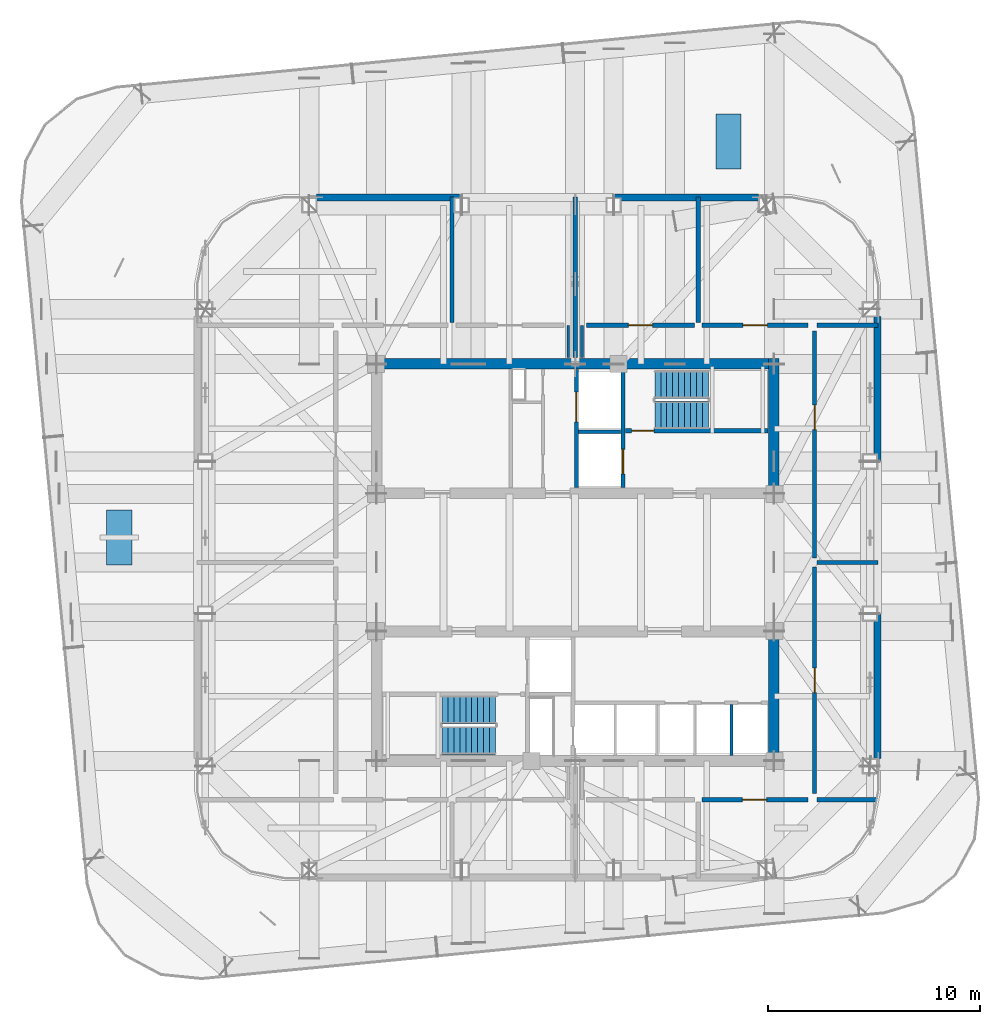
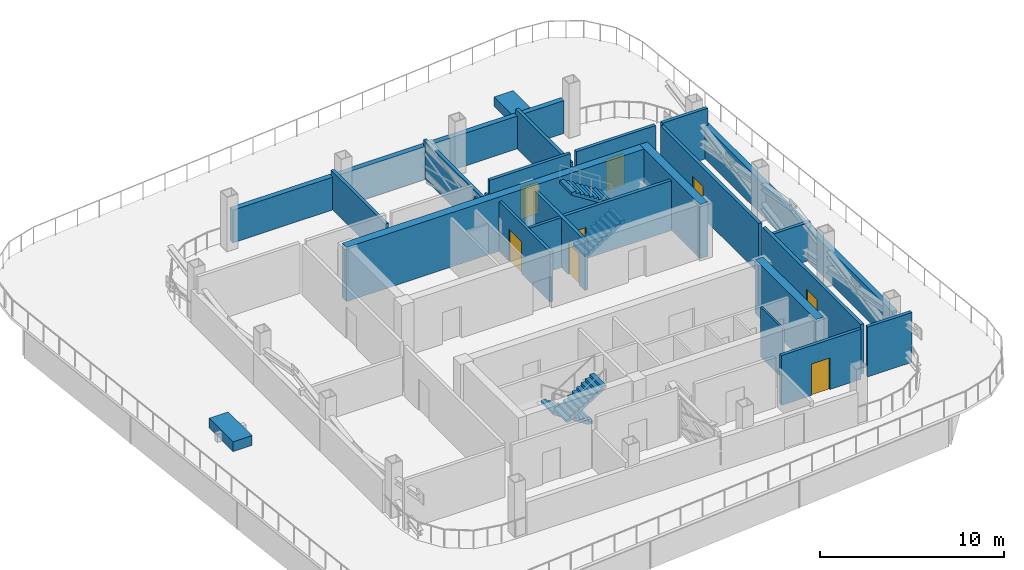
# One storey, part 7 of 12: 23 walls, 8 doors, 4 stair flights, 2 discrete accessories, 8 openings, 2 elements without a shape of their own.
"""IFC4 building model written with IfcOpenShell, lengths in metres."""

from ifc_helpers import new_model, si_unit, direction, frame, frame_2d, origin, origin_2d, place, context, subcontext, project, spatial, polyline, rectangle, outline, extrude, material, layer, layer_set, type_object, element, fill, aggregate, save


model = new_model("IFC4")

# Units and contexts
model_context = context("Model", 3, precision=1e-05, world=origin(), true_north=direction((0.0, 1.0)))
body_context = subcontext(model_context, "Body", "Model", "MODEL_VIEW")
ifc_project = project(units=[si_unit("LENGTHUNIT", "METRE"), si_unit("AREAUNIT", "SQUARE_METRE"), si_unit("VOLUMEUNIT", "CUBIC_METRE"), si_unit("PLANEANGLEUNIT", "RADIAN"), si_unit("MASSUNIT", "GRAM", prefix="KILO")], contexts=[model_context])

# Site, building, storey
site_placement = place(None, origin())
site = spatial("IfcSite", under=ifc_project, at=site_placement, CompositionType="ELEMENT")
building_placement = place(site_placement, origin())
building = spatial("IfcBuilding", under=site, at=building_placement, Name="Qhalaya Broadcast Tower", CompositionType="ELEMENT")
storey_placement = place(building_placement, frame((0.0, 0.0, 187.949951171875)))
storey = spatial("IfcBuildingStorey", under=building, at=storey_placement, Name="L55", CompositionType="ELEMENT", Elevation=187.949951171875)

# Walls
ifc_material_1 = material(Name="Gypsum Acoustic Partition")
ifc_layer_1 = layer(ifc_material_1, 0.199951171875, Name="Gypsum Acoustic Partition")
ifc_layer_set_1 = layer_set([ifc_layer_1], Name="Gypsum Acoustic Partition")
wall_type_1 = type_object("IfcWallType", Name="Firefighting Lobby & Stair Enclosure Wall 200", PredefinedType="PARTITIONING", material=ifc_layer_set_1)
wall_1_placement = place(storey_placement, frame((0.0, 10.239990234375, 0.0), z_axis=(0.0, 0.0, 1.0), x_axis=(0.0, 1.0, 0.0)))
element("IfcWall", 1, at=wall_1_placement, inside=storey, type_object=wall_type_1, Name="L55 Partition Wall W-OBN", PredefinedType="PARTITIONING", context=body_context, shape_type="SweptSolid", body=[
    extrude(rectangle(XDim=7.56005859375, YDim=0.199951171875, at=frame_2d((3.780029296875, 0.0))), origin(), (0.0, 0.0, 1.0), 2.5380859375),
])
wall_2_placement = place(storey_placement, frame((-5.800048828125, 11.889892578125, 0.0), z_axis=(0.0, 0.0, 1.0), x_axis=(0.0, 1.0, 0.0)))
element("IfcWall", 2, at=wall_2_placement, inside=storey, type_object=wall_type_1, Name="L55 Partition Wall W-PDN1", PredefinedType="PARTITIONING", context=body_context, shape_type="SweptSolid", body=[
    extrude(rectangle(XDim=5.91015625, YDim=0.199951171875, at=frame_2d((2.955078125, 0.0))), origin(), (0.0, 0.0, 1.0), 2.5380859375),
])

# Wall, opening, door
wall_3_placement = place(storey_placement, frame((5.6201171875, 11.77001953125, 0.0), z_axis=(0.0, 0.0, 1.0), x_axis=(-1.0, 0.0, 0.0)))
wall_3 = element("IfcWall", 3, at=wall_3_placement, inside=storey, type_object=wall_type_1, Name="L55 Partition Wall W-PCN2", PredefinedType="PARTITIONING", context=body_context, shape_type="SweptSolid", body=[
    extrude(rectangle(XDim=5.090087890625, YDim=0.199951171875, at=frame_2d((2.544921875, 0.0))), origin(), (0.0, 0.0, 1.0), 3.320068359375),
])
opening_1_placement = place(wall_3_placement, frame((1.969970703125, 0.0, 0.0)))
opening_1 = element("IfcOpeningElement", 4, at=opening_1_placement, cuts=wall_3, Name="Opening D05", PredefinedType="OPENING", context=body_context, shape_type="SweptSolid", body=[
    extrude(rectangle(XDim=1.14990234375, YDim=2.10009765625, at=frame_2d((0.574951171875, 1.050048828125))), frame((0.0, 0.112060546875, 0.0), z_axis=(0.0, -1.0, 0.0), x_axis=(1.0, 0.0, 0.0)), (0.0, 0.0, 1.0), 0.223876953125),
])
ifc_material_2 = material(Name="Fire-Rated Steel Door", Category="steel")
door_type_1 = type_object("IfcDoorType", Name="Refuge & Plant Room Fire Door D05", OperationType="NOTDEFINED", PredefinedType="DOOR", material=ifc_material_2)
door_1_placement = place(opening_1_placement, origin())
door_1 = element("IfcDoor", 5, at=door_1_placement, inside=storey, type_object=door_type_1, Name="L55 Door D-PCN2", OperationType="SINGLE_SWING_LEFT", OverallHeight=2.10009765625, OverallWidth=1.14990234375, PredefinedType="DOOR", context=body_context, shape_type="SweptSolid", body=[
    extrude(rectangle(XDim=1.14990234375, YDim=2.10009765625, at=frame_2d((0.574951171875, 1.050048828125))), frame((0.0, 0.02490234375, 0.0), z_axis=(0.0, -1.0, 0.0), x_axis=(1.0, 0.0, 0.0)), (0.0, 0.0, 1.0), 0.050048828125),
])
fill(opening_1, door_1)

# Wall
wall_4_placement = place(storey_placement, frame((5.800048828125, 11.889892578125, 0.0), z_axis=(0.0, 0.0, 1.0), x_axis=(0.0, 1.0, 0.0)))
element("IfcWall", 6, at=wall_4_placement, inside=storey, type_object=wall_type_1, Name="L55 Partition Wall W-PDN3", PredefinedType="PARTITIONING", context=body_context, shape_type="SweptSolid", body=[
    extrude(rectangle(XDim=5.91015625, YDim=0.199951171875, at=frame_2d((2.955078125, 0.0))), origin(), (0.0, 0.0, 1.0), 2.5380859375),
])

# Wall, opening, door
wall_5_placement = place(storey_placement, frame((10.969970703125, 11.77001953125, 0.0), z_axis=(0.0, 0.0, 1.0), x_axis=(-1.0, 0.0, 0.0)))
wall_5 = element("IfcWall", 7, at=wall_5_placement, inside=storey, type_object=wall_type_1, Name="L55 Partition Wall W-PCN3", PredefinedType="PARTITIONING", context=body_context, shape_type="SweptSolid", body=[
    extrude(rectangle(XDim=4.989990234375, YDim=0.199951171875, at=frame_2d((2.4951171875, 0.0))), origin(), (0.0, 0.0, 1.0), 3.320068359375),
])
opening_2_placement = place(wall_5_placement, frame((1.919921875, 0.0, 0.0)))
opening_2 = element("IfcOpeningElement", 8, at=opening_2_placement, cuts=wall_5, Name="Opening D05", PredefinedType="OPENING", context=body_context, shape_type="SweptSolid", body=[
    extrude(rectangle(XDim=1.14990234375, YDim=2.10009765625, at=frame_2d((0.574951171875, 1.050048828125))), frame((0.0, 0.112060546875, 0.0), z_axis=(0.0, -1.0, 0.0), x_axis=(1.0, 0.0, 0.0)), (0.0, 0.0, 1.0), 0.223876953125),
])
door_2_placement = place(opening_2_placement, origin())
door_2 = element("IfcDoor", 9, at=door_2_placement, inside=storey, type_object=door_type_1, Name="L55 Door D-PCN3", OperationType="SINGLE_SWING_LEFT", OverallHeight=2.10009765625, OverallWidth=1.14990234375, PredefinedType="DOOR", context=body_context, shape_type="SweptSolid", body=[
    extrude(rectangle(XDim=1.14990234375, YDim=2.10009765625, at=frame_2d((0.574951171875, 1.050048828125))), frame((0.0, 0.02490234375, 0.0), z_axis=(0.0, -1.0, 0.0), x_axis=(1.0, 0.0, 0.0)), (0.0, 0.0, 1.0), 0.050048828125),
])
fill(opening_2, door_2)

wall_6_placement = place(storey_placement, frame((5.97998046875, -10.570068359375, 0.0), z_axis=(0.0, 0.0, 1.0), x_axis=(1.0, 0.0, 0.0)))
wall_6 = element("IfcWall", 10, at=wall_6_placement, inside=storey, type_object=wall_type_1, Name="L55 Partition Wall W-PCS3", PredefinedType="PARTITIONING", context=body_context, shape_type="SweptSolid", body=[
    extrude(rectangle(XDim=4.989990234375, YDim=0.199951171875, at=frame_2d((2.4951171875, 0.0))), origin(), (0.0, 0.0, 1.0), 3.320068359375),
])
opening_3_placement = place(wall_6_placement, frame((1.889892578125, 0.0, 0.0)))
opening_3 = element("IfcOpeningElement", 11, at=opening_3_placement, cuts=wall_6, Name="Opening D05", PredefinedType="OPENING", context=body_context, shape_type="SweptSolid", body=[
    extrude(rectangle(XDim=1.14990234375, YDim=2.10009765625, at=frame_2d((0.574951171875, 1.050048828125))), frame((0.0, 0.112060546875, 0.0), z_axis=(0.0, -1.0, 0.0), x_axis=(1.0, 0.0, 0.0)), (0.0, 0.0, 1.0), 0.223876953125),
])
door_3_placement = place(opening_3_placement, origin())
door_3 = element("IfcDoor", 12, at=door_3_placement, inside=storey, type_object=door_type_1, Name="L55 Door D-PCS3", OperationType="SINGLE_SWING_RIGHT", OverallHeight=2.10009765625, OverallWidth=1.14990234375, PredefinedType="DOOR", context=body_context, shape_type="SweptSolid", body=[
    extrude(rectangle(XDim=1.14990234375, YDim=2.10009765625, at=frame_2d((0.574951171875, 1.050048828125))), frame((0.0, 0.02490234375, 0.0), z_axis=(0.0, -1.0, 0.0), x_axis=(1.0, 0.0, 0.0)), (0.0, 0.0, 1.0), 0.050048828125),
])
fill(opening_3, door_3)

# Walls
wall_7_placement = place(storey_placement, frame((11.389892578125, 11.77001953125, 0.0), z_axis=(0.0, 0.0, 1.0), x_axis=(1.0, 0.0, 0.0)))
element("IfcWall", 13, at=wall_7_placement, inside=storey, type_object=wall_type_1, Name="L55 Partition Wall W-PBNE", PredefinedType="PARTITIONING", context=body_context, shape_type="SweptSolid", body=[
    extrude(rectangle(XDim=2.8701171875, YDim=0.199951171875, at=frame_2d((1.43505859375, 0.0))), origin(), (0.0, 0.0, 1.0), 3.320068359375),
])
wall_8_placement = place(storey_placement, frame((11.389892578125, -10.570068359375, 0.0), z_axis=(0.0, 0.0, 1.0), x_axis=(1.0, 0.0, 0.0)))
element("IfcWall", 14, at=wall_8_placement, inside=storey, type_object=wall_type_1, Name="L55 Partition Wall W-PBSE", PredefinedType="PARTITIONING", context=body_context, shape_type="SweptSolid", body=[
    extrude(rectangle(XDim=2.790283203125, YDim=0.199951171875, at=frame_2d((1.39501953125, 0.0))), origin(), (0.0, 0.0, 1.0), 3.320068359375),
])
wall_9_placement = place(storey_placement, frame((11.389892578125, 0.60009765625, 0.0), z_axis=(0.0, 0.0, 1.0), x_axis=(1.0, 0.0, 0.0)))
element("IfcWall", 15, at=wall_9_placement, inside=storey, type_object=wall_type_1, Name="L55 Partition Wall W-PDE1", PredefinedType="PARTITIONING", context=body_context, shape_type="SweptSolid", body=[
    extrude(rectangle(XDim=2.8701171875, YDim=0.199951171875, at=frame_2d((1.43505859375, 0.0))), origin(), (0.0, 0.0, 1.0), 2.5380859375),
])

# Wall, opening, door
wall_10_placement = place(storey_placement, frame((11.27001953125, -10.2900390625, 0.0), z_axis=(0.0, 0.0, 1.0), x_axis=(0.0, 1.0, 0.0)))
wall_10 = element("IfcWall", 16, at=wall_10_placement, inside=storey, type_object=wall_type_1, Name="L55 Partition Wall W-PCE1", PredefinedType="PARTITIONING", context=body_context, shape_type="SweptSolid", body=[
    extrude(rectangle(XDim=10.679931640625, YDim=0.199951171875, at=frame_2d((5.33984375, 0.0))), origin(), (0.0, 0.0, 1.0), 3.320068359375),
])
opening_4_placement = place(wall_10_placement, frame((4.764892578125, 0.0, 0.0)))
opening_4 = element("IfcOpeningElement", 17, at=opening_4_placement, cuts=wall_10, Name="Opening D05", PredefinedType="OPENING", context=body_context, shape_type="SweptSolid", body=[
    extrude(rectangle(XDim=1.14990234375, YDim=2.10009765625, at=frame_2d((0.574951171875, 1.050048828125))), frame((0.0, 0.112060546875, 0.0), z_axis=(0.0, -1.0, 0.0), x_axis=(1.0, 0.0, 0.0)), (0.0, 0.0, 1.0), 0.223876953125),
])
door_4_placement = place(opening_4_placement, origin())
door_4 = element("IfcDoor", 18, at=door_4_placement, inside=storey, type_object=door_type_1, Name="L55 Door D-PCE1", OperationType="SINGLE_SWING_RIGHT", OverallHeight=2.10009765625, OverallWidth=1.14990234375, PredefinedType="DOOR", context=body_context, shape_type="SweptSolid", body=[
    extrude(rectangle(XDim=1.14990234375, YDim=2.10009765625, at=frame_2d((0.574951171875, 1.050048828125))), frame((0.0, 0.02490234375, 0.0), z_axis=(0.0, -1.0, 0.0), x_axis=(1.0, 0.0, 0.0)), (0.0, 0.0, 1.0), 0.050048828125),
])
fill(opening_4, door_4)

wall_11_placement = place(storey_placement, frame((11.27001953125, 0.81005859375, 0.0), z_axis=(0.0, 0.0, 1.0), x_axis=(0.0, 1.0, 0.0)))
wall_11 = element("IfcWall", 19, at=wall_11_placement, inside=storey, type_object=wall_type_1, Name="L55 Partition Wall W-PCE2", PredefinedType="PARTITIONING", context=body_context, shape_type="SweptSolid", body=[
    extrude(rectangle(XDim=10.679931640625, YDim=0.199951171875, at=frame_2d((5.33984375, 0.0))), origin(), (0.0, 0.0, 1.0), 3.320068359375),
])
opening_5_placement = place(wall_11_placement, frame((6.047119140625, 0.0, 0.0)))
opening_5 = element("IfcOpeningElement", 20, at=opening_5_placement, cuts=wall_11, Name="Opening D05", PredefinedType="OPENING", context=body_context, shape_type="SweptSolid", body=[
    extrude(rectangle(XDim=1.14990234375, YDim=2.10009765625, at=frame_2d((0.574951171875, 1.050048828125))), frame((0.0, 0.112060546875, 0.0), z_axis=(0.0, -1.0, 0.0), x_axis=(1.0, 0.0, 0.0)), (0.0, 0.0, 1.0), 0.223876953125),
])
door_5_placement = place(opening_5_placement, origin())
door_5 = element("IfcDoor", 21, at=door_5_placement, inside=storey, type_object=door_type_1, Name="L55 Door D-PCE2", OperationType="SINGLE_SWING_LEFT", OverallHeight=2.10009765625, OverallWidth=1.14990234375, PredefinedType="DOOR", context=body_context, shape_type="SweptSolid", body=[
    extrude(rectangle(XDim=1.14990234375, YDim=2.10009765625, at=frame_2d((0.574951171875, 1.050048828125))), frame((0.0, 0.02490234375, 0.0), z_axis=(0.0, -1.0, 0.0), x_axis=(1.0, 0.0, 0.0)), (0.0, 0.0, 1.0), 0.050048828125),
])
fill(opening_5, door_5)

ifc_material_3 = material(Name="Concrete C50/60", Category="concrete")
ifc_layer_2 = layer(ifc_material_3, 0.199951171875, Name="Concrete C50/60")
ifc_layer_set_2 = layer_set([ifc_layer_2], Name="Concrete C50/60")
wall_type_2 = type_object("IfcWallType", Name="Load-Bearing Stair Shaft Wall 200", PredefinedType="SHEAR", material=ifc_layer_set_2)
wall_12_placement = place(storey_placement, frame((2.360107421875, 6.804931640625, 0.0), z_axis=(0.0, 0.0, 1.0), x_axis=(1.0, 0.0, 0.0)))
wall_12 = element("IfcWall", 22, at=wall_12_placement, inside=storey, type_object=wall_type_2, Name="L55 Stair Core Shear Wall NCW-ST1", PredefinedType="SHEAR", context=body_context, shape_type="SweptSolid", body=[
    extrude(rectangle(XDim=6.719970703125, YDim=0.199951171875, at=frame_2d((3.35986328125, 0.0))), origin(), (0.0, 0.0, 1.0), 3.320068359375),
])
opening_6_placement = place(wall_12_placement, frame((0.300048828125, 0.0, 0.0)))
opening_6 = element("IfcOpeningElement", 23, at=opening_6_placement, cuts=wall_12, Name="Opening D03", PredefinedType="OPENING", context=body_context, shape_type="SweptSolid", body=[
    extrude(rectangle(XDim=1.050048828125, YDim=2.080078125, at=frame_2d((0.52490234375, 1.0400390625))), frame((0.0, 0.112060546875, 0.0), z_axis=(0.0, -1.0, 0.0), x_axis=(1.0, 0.0, 0.0)), (0.0, 0.0, 1.0), 0.223876953125),
])
door_type_2 = type_object("IfcDoorType", Name="Core Stair Protected Fire Door D03", OperationType="NOTDEFINED", PredefinedType="DOOR", material=ifc_material_2)
door_6_placement = place(opening_6_placement, origin())
door_6 = element("IfcDoor", 24, at=door_6_placement, inside=storey, type_object=door_type_2, Name="L55 Door D-NST1", OperationType="SINGLE_SWING_LEFT", OverallHeight=2.080078125, OverallWidth=1.050048828125, PredefinedType="DOOR", context=body_context, shape_type="SweptSolid", body=[
    extrude(rectangle(XDim=1.050048828125, YDim=2.080078125, at=frame_2d((0.52490234375, 1.0400390625))), frame((0.0, 0.02490234375, 0.0), z_axis=(0.0, -1.0, 0.0), x_axis=(1.0, 0.0, 0.0)), (0.0, 0.0, 1.0), 0.050048828125),
])
fill(opening_6, door_6)

wall_13_placement = place(storey_placement, frame((2.25, 4.1201171875, 0.0), z_axis=(0.0, 0.0, 1.0), x_axis=(0.0, 1.0, 0.0)))
wall_13 = element("IfcWall", 25, at=wall_13_placement, inside=storey, type_object=wall_type_2, Name="L55 Stair Core Shear Wall NCW-FF", PredefinedType="SHEAR", context=body_context, shape_type="SweptSolid", body=[
    extrude(rectangle(XDim=5.559814453125, YDim=0.199951171875, at=frame_2d((2.77978515625, 0.0))), origin(), (0.0, 0.0, 1.0), 3.320068359375),
])
opening_7_placement = place(wall_13_placement, frame((0.64990234375, 0.0, 0.0)))
opening_7 = element("IfcOpeningElement", 26, at=opening_7_placement, cuts=wall_13, Name="Opening LD2", PredefinedType="OPENING", context=body_context, shape_type="SweptSolid", body=[
    extrude(rectangle(XDim=1.14990234375, YDim=2.080078125, at=frame_2d((0.574951171875, 1.0400390625))), frame((0.0, 0.112060546875, 0.0), z_axis=(0.0, -1.0, 0.0), x_axis=(1.0, 0.0, 0.0)), (0.0, 0.0, 1.0), 0.223876953125),
])
ifc_material_4 = material(Name="Brushed Stainless Steel Lift Door", Category="steel")
door_type_3 = type_object("IfcDoorType", Name="Firefighting Lift Sliding Landing Door LD2", OperationType="DOUBLE_DOOR_SLIDING", PredefinedType="DOOR", material=ifc_material_4)
door_7_placement = place(opening_7_placement, origin())
door_7 = element("IfcDoor", 27, at=door_7_placement, inside=storey, type_object=door_type_3, Name="L55 Door LD-FF1", OperationType="DOUBLE_DOOR_SLIDING", OverallHeight=2.080078125, OverallWidth=1.14990234375, PredefinedType="DOOR", context=body_context, shape_type="SweptSolid", body=[
    extrude(rectangle(XDim=1.14990234375, YDim=2.080078125, at=frame_2d((0.574951171875, 1.0400390625))), frame((0.0, 0.02490234375, 0.0), z_axis=(0.0, -1.0, 0.0), x_axis=(1.0, 0.0, 0.0)), (0.0, 0.0, 1.0), 0.050048828125),
])
fill(opening_7, door_7)

# Walls
ifc_layer_3 = layer(ifc_material_3, 0.5, Name="Concrete C50/60")
ifc_layer_set_3 = layer_set([ifc_layer_3], Name="Concrete C50/60")
wall_type_3 = type_object("IfcWallType", Name="Mid Split-Core Shear Wall 500", PredefinedType="SHEAR", material=ifc_layer_set_3)
wall_14_placement = place(storey_placement, frame((-9.60009765625, 9.949951171875, 0.0), z_axis=(0.0, 0.0, 1.0), x_axis=(1.0, 0.0, 0.0)))
element("IfcWall", 28, at=wall_14_placement, inside=storey, type_object=wall_type_3, Name="L55 Split-Core Shear Wall CW-NN", PredefinedType="SHEAR", context=body_context, shape_type="SweptSolid", body=[
    extrude(rectangle(XDim=19.2001953125, YDim=0.5, at=frame_2d((9.60009765625, 0.0))), origin(), (0.0, 0.0, 1.0), 3.60009765625),
])
wall_15_placement = place(storey_placement, frame((9.35009765625, 3.60009765625, 0.0), z_axis=(0.0, 0.0, 1.0), x_axis=(0.0, 1.0, 0.0)))
element("IfcWall", 29, at=wall_15_placement, inside=storey, type_object=wall_type_3, Name="L55 Split-Core Shear Wall CW-NE", PredefinedType="SHEAR", context=body_context, shape_type="SweptSolid", body=[
    extrude(rectangle(XDim=6.599853515625, YDim=0.5, at=frame_2d((3.2998046875, 0.0))), origin(), (0.0, 0.0, 1.0), 3.60009765625),
])
wall_16_placement = place(storey_placement, frame((9.35009765625, -9.0, 0.0), z_axis=(0.0, 0.0, 1.0), x_axis=(0.0, 1.0, 0.0)))
element("IfcWall", 30, at=wall_16_placement, inside=storey, type_object=wall_type_3, Name="L55 Split-Core Shear Wall CW-SE", PredefinedType="SHEAR", context=body_context, shape_type="SweptSolid", body=[
    extrude(rectangle(XDim=6.60009765625, YDim=0.5, at=frame_2d((3.300048828125, 0.0))), origin(), (0.0, 0.0, 1.0), 3.60009765625),
])
ifc_layer_4 = layer(ifc_material_1, 0.1201171875, Name="Gypsum Acoustic Partition")
ifc_layer_set_4 = layer_set([ifc_layer_4], Name="Gypsum Acoustic Partition")
wall_type_4 = type_object("IfcWallType", Name="Office, Booth & Sanitary Partition 120", PredefinedType="PARTITIONING", material=ifc_layer_set_4)
wall_17_placement = place(storey_placement, frame((7.360107421875, -8.47998046875, 0.0), z_axis=(0.0, 0.0, 1.0), x_axis=(0.0, 1.0, 0.0)))
element("IfcWall", 31, at=wall_17_placement, inside=storey, type_object=wall_type_4, Name="L55 Partition Wall SCW-HD7", PredefinedType="PARTITIONING", context=body_context, shape_type="SweptSolid", body=[
    extrude(rectangle(XDim=2.3798828125, YDim=0.1201171875, at=frame_2d((1.18994140625, 0.0))), origin(), (0.0, 0.0, 1.0), 3.320068359375),
])
for number, where, z_axis, x_axis, name in (
    (32, (-0.320068359375, 10.239990234375, 0.0), (0.0, 0.0, 1.0), (0.0, 1.0, 0.0), "L55 Partition Wall W-OBNCW"),
    (33, (0.320068359375, 10.239990234375, 0.0), (0.0, 0.0, 1.0), (0.0, 1.0, 0.0), "L55 Partition Wall W-OBNCE"),
):
    element("IfcWall", number, at=place(storey_placement, frame(where, z_axis=z_axis, x_axis=x_axis)), inside=storey, type_object=wall_type_4, Name=name, PredefinedType="PARTITIONING", context=body_context, shape_type="SweptSolid", body=[
        extrude(rectangle(XDim=1.510009765625, YDim=0.1201171875, at=frame_2d((0.7548828125, 0.0))), origin(), (0.0, 0.0, 1.0), 2.5380859375),
    ])
ifc_material_5 = material(Name="Precast Concrete C40/50", Category="concrete")
ifc_layer_5 = layer(ifc_material_5, 0.320068359375, Name="Precast Concrete C40/50")
ifc_layer_set_5 = layer_set([ifc_layer_5], Name="Precast Concrete C40/50")
wall_type_5 = type_object("IfcWallType", Name="Recessed Neck Insulated Exterior Wall 320", PredefinedType="SOLIDWALL", material=ifc_layer_set_5)
for number, where, z_axis, x_axis, name in (
    (34, (14.239990234375, 12.181884765625, 0.0), (0.0, 0.0, 1.0), (0.0, -1.0, 0.0), "L55 Exterior Facade Wall E"),
    (35, (-12.181884765625, 17.780029296875, 0.0), (0.0, 0.0, 1.0), (1.0, 0.0, 0.0), "L55 Exterior Facade Wall N"),
):
    element("IfcWall", number, at=place(storey_placement, frame(where, z_axis=z_axis, x_axis=x_axis)), inside=storey, type_object=wall_type_5, Name=name, PredefinedType="SOLIDWALL", context=body_context, shape_type="SweptSolid", body=[
        extrude(rectangle(XDim=20.823974609375, YDim=0.320068359375, at=frame_2d((10.412109375, 0.0))), origin(), (0.0, 0.0, 1.0), 2.18212890625),
    ])

# Wall, opening, door
ifc_layer_6 = layer(ifc_material_1, 0.175048828125, Name="Gypsum Acoustic Partition")
ifc_layer_set_6 = layer_set([ifc_layer_6], Name="Gypsum Acoustic Partition")
wall_type_6 = type_object("IfcWallType", Name="Shaft & Riser Fire Partition 175", PredefinedType="PARTITIONING", material=ifc_layer_set_6)
wall_18_placement = place(storey_placement, frame((0.06005859375, 4.1201171875, 0.0), z_axis=(0.0, 0.0, 1.0), x_axis=(0.0, 1.0, 0.0)))
wall_18 = element("IfcWall", 36, at=wall_18_placement, inside=storey, type_object=wall_type_6, Name="L55 Partition Wall NCW-SVW", PredefinedType="PARTITIONING", context=body_context, shape_type="SweptSolid", body=[
    extrude(rectangle(XDim=5.559814453125, YDim=0.175048828125, at=frame_2d((2.77978515625, 0.0))), origin(), (0.0, 0.0, 1.0), 3.320068359375),
])
opening_8_placement = place(wall_18_placement, frame((3.10009765625, 0.0, 0.0)))
opening_8 = element("IfcOpeningElement", 37, at=opening_8_placement, cuts=wall_18, Name="Opening LD3", PredefinedType="OPENING", context=body_context, shape_type="SweptSolid", body=[
    extrude(rectangle(XDim=1.39990234375, YDim=2.1201171875, at=frame_2d((0.699951171875, 1.06005859375))), frame((0.0, 0.099609375, 0.0), z_axis=(0.0, -1.0, 0.0), x_axis=(1.0, 0.0, 0.0)), (0.0, 0.0, 1.0), 0.198974609375),
])
door_type_4 = type_object("IfcDoorType", Name="Service Lift Wide Sliding Landing Door LD3", OperationType="DOUBLE_DOOR_SLIDING", PredefinedType="DOOR", material=ifc_material_4)
door_8_placement = place(opening_8_placement, origin())
door_8 = element("IfcDoor", 38, at=door_8_placement, inside=storey, type_object=door_type_4, Name="L55 Door LD-SV1", OperationType="DOUBLE_DOOR_SLIDING", OverallHeight=2.1201171875, OverallWidth=1.39990234375, PredefinedType="DOOR", context=body_context, shape_type="SweptSolid", body=[
    extrude(rectangle(XDim=1.39990234375, YDim=2.1201171875, at=frame_2d((0.699951171875, 1.06005859375))), frame((0.0, 0.02490234375, 0.0), z_axis=(0.0, -1.0, 0.0), x_axis=(1.0, 0.0, 0.0)), (0.0, 0.0, 1.0), 0.050048828125),
])
fill(opening_8, door_8)

# Wall
wall_19_placement = place(storey_placement, frame((0.159912109375, 6.75, 0.0), z_axis=(0.0, 0.0, 1.0), x_axis=(1.0, 0.0, 0.0)))
element("IfcWall", 39, at=wall_19_placement, inside=storey, type_object=wall_type_6, Name="L55 Partition Wall NCW-SVM", PredefinedType="PARTITIONING", context=body_context, shape_type="SweptSolid", body=[
    extrude(rectangle(XDim=1.97998046875, YDim=0.175048828125, at=frame_2d((0.989990234375, 0.0))), origin(), (0.0, 0.0, 1.0), 3.320068359375),
])

# Stair, stair flights
ifc_material_6 = material(Name="Concrete C40/50", Category="concrete")
stair_type = type_object("IfcStairType", Name="Protected Dogleg Core Stair 3600", PredefinedType="TWO_STRAIGHT_RUN_STAIR", material=ifc_material_6)
stair_1_placement = place(storey_placement, origin())
stair_1 = element("IfcStair", 40, at=stair_1_placement, inside=storey, type_object=stair_type, Name="L55 North Core Exit Stair ST-1", PredefinedType="TWO_STRAIGHT_RUN_STAIR")
stair_flight_type = type_object("IfcStairFlightType", Name="Precast Concrete Stair Flight 3600", PredefinedType="STRAIGHT", material=ifc_material_5)
stair_flight_1_placement = place(storey_placement, frame((3.75, 7.5400390625, 0.0), z_axis=(0.0, 0.0, 1.0), x_axis=(1.0, 0.0, 0.0)))
stair_flight_1 = element("IfcStairFlight", 41, at=stair_flight_1_placement, type_object=stair_flight_type, Name="ST-1 flight 1", NumberOfRisers=10, NumberOfTreads=9, PredefinedType="STRAIGHT", RiserHeight=0.18, TreadLength=0.28, context=body_context, shape_type="SweptSolid", body=[
    extrude(outline(polyline([(0.0, 0.0), (0.0, 0.179931640625), (0.280029296875, 0.179931640625), (0.280029296875, 0.360107421875), (0.56005859375, 0.360107421875), (0.56005859375, 0.5400390625), (0.840087890625, 0.5400390625), (0.840087890625, 0.719970703125), (1.1201171875, 0.719970703125), (1.1201171875, 0.89990234375), (1.39990234375, 0.89990234375), (1.39990234375, 1.080078125), (1.679931640625, 1.080078125), (1.679931640625, 1.260009765625), (1.9599609375, 1.260009765625), (1.9599609375, 1.43994140625), (2.239990234375, 1.43994140625), (2.239990234375, 1.6201171875), (2.52001953125, 1.6201171875), (2.52001953125, 1.800048828125), (2.52001953125, 1.44189453125), (0.277099609375, 0.0), (0.0, 0.0)])), frame((0.0, 0.66015625, 0.0), z_axis=(0.0, -1.0, 0.0), x_axis=(1.0, 0.0, 0.0)), (0.0, 0.0, 1.0), 1.320068359375),
])
stair_flight_2_placement = place(storey_placement, frame((6.27001953125, 8.97998046875, 1.800048828125), z_axis=(0.0, 0.0, 1.0), x_axis=(-1.0, 0.0, 0.0)))
stair_flight_2 = element("IfcStairFlight", 42, at=stair_flight_2_placement, type_object=stair_flight_type, Name="ST-1 flight 2", NumberOfRisers=10, NumberOfTreads=9, PredefinedType="STRAIGHT", RiserHeight=0.18, TreadLength=0.28, context=body_context, shape_type="SweptSolid", body=[
    extrude(outline(polyline([(0.0, 0.0), (0.0, 0.179931640625), (0.280029296875, 0.179931640625), (0.280029296875, 0.360107421875), (0.56005859375, 0.360107421875), (0.56005859375, 0.5400390625), (0.840087890625, 0.5400390625), (0.840087890625, 0.719970703125), (1.1201171875, 0.719970703125), (1.1201171875, 0.89990234375), (1.39990234375, 0.89990234375), (1.39990234375, 1.080078125), (1.679931640625, 1.080078125), (1.679931640625, 1.260009765625), (1.9599609375, 1.260009765625), (1.9599609375, 1.43994140625), (2.239990234375, 1.43994140625), (2.239990234375, 1.6201171875), (2.52001953125, 1.6201171875), (2.52001953125, 1.800048828125), (2.52001953125, 1.44189453125), (0.277099609375, 0.0), (0.0, 0.0)])), frame((0.0, 0.66015625, 0.0), z_axis=(0.0, -1.0, 0.0), x_axis=(1.0, 0.0, 0.0)), (0.0, 0.0, 1.0), 1.320068359375),
])
aggregate(stair_1, [stair_flight_1, stair_flight_2])

stair_2_placement = place(storey_placement, origin())
stair_2 = element("IfcStair", 43, at=stair_2_placement, inside=storey, type_object=stair_type, Name="L55 South Core Exit Stair ST-2", PredefinedType="TWO_STRAIGHT_RUN_STAIR")
stair_flight_3_placement = place(storey_placement, frame((-3.75, -6.340087890625, 0.0), z_axis=(0.0, 0.0, 1.0), x_axis=(-1.0, 0.0, 0.0)))
stair_flight_3 = element("IfcStairFlight", 44, at=stair_flight_3_placement, type_object=stair_flight_type, Name="ST-2 flight 1", NumberOfRisers=10, NumberOfTreads=9, PredefinedType="STRAIGHT", RiserHeight=0.18, TreadLength=0.28, context=body_context, shape_type="SweptSolid", body=[
    extrude(outline(polyline([(0.0, 0.0), (0.0, 0.179931640625), (0.280029296875, 0.179931640625), (0.280029296875, 0.360107421875), (0.56005859375, 0.360107421875), (0.56005859375, 0.5400390625), (0.840087890625, 0.5400390625), (0.840087890625, 0.719970703125), (1.1201171875, 0.719970703125), (1.1201171875, 0.89990234375), (1.39990234375, 0.89990234375), (1.39990234375, 1.080078125), (1.679931640625, 1.080078125), (1.679931640625, 1.260009765625), (1.9599609375, 1.260009765625), (1.9599609375, 1.43994140625), (2.239990234375, 1.43994140625), (2.239990234375, 1.6201171875), (2.52001953125, 1.6201171875), (2.52001953125, 1.800048828125), (2.52001953125, 1.44189453125), (0.277099609375, 0.0), (0.0, 0.0)])), frame((0.0, 0.66015625, 0.0), z_axis=(0.0, -1.0, 0.0), x_axis=(1.0, 0.0, 0.0)), (0.0, 0.0, 1.0), 1.320068359375),
])
stair_flight_4_placement = place(storey_placement, frame((-6.27001953125, -7.780029296875, 1.800048828125), z_axis=(0.0, 0.0, 1.0), x_axis=(1.0, 0.0, 0.0)))
stair_flight_4 = element("IfcStairFlight", 45, at=stair_flight_4_placement, type_object=stair_flight_type, Name="ST-2 flight 2", NumberOfRisers=10, NumberOfTreads=9, PredefinedType="STRAIGHT", RiserHeight=0.18, TreadLength=0.28, context=body_context, shape_type="SweptSolid", body=[
    extrude(outline(polyline([(0.0, 0.0), (0.0, 0.179931640625), (0.280029296875, 0.179931640625), (0.280029296875, 0.360107421875), (0.56005859375, 0.360107421875), (0.56005859375, 0.5400390625), (0.840087890625, 0.5400390625), (0.840087890625, 0.719970703125), (1.1201171875, 0.719970703125), (1.1201171875, 0.89990234375), (1.39990234375, 0.89990234375), (1.39990234375, 1.080078125), (1.679931640625, 1.080078125), (1.679931640625, 1.260009765625), (1.9599609375, 1.260009765625), (1.9599609375, 1.43994140625), (2.239990234375, 1.43994140625), (2.239990234375, 1.6201171875), (2.52001953125, 1.6201171875), (2.52001953125, 1.800048828125), (2.52001953125, 1.44189453125), (0.277099609375, 0.0), (0.0, 0.0)])), frame((0.0, 0.66015625, 0.0), z_axis=(0.0, -1.0, 0.0), x_axis=(1.0, 0.0, 0.0)), (0.0, 0.0, 1.0), 1.320068359375),
])
aggregate(stair_2, [stair_flight_3, stair_flight_4])

# Discrete accessories
ifc_material_7 = material(Name="Fired Architectural Terracotta", Category="masonry")
discrete_accessory_type = type_object("IfcDiscreteAccessoryType", Name="Terracotta Sky-Garden Planter Box PLN-01", PredefinedType="USERDEFINED", material=ifc_material_7)
for number, where, z_axis, x_axis, name in (
    (46, (-21.466064453125, 1.77001953125, 0.0), (0.0, 0.0, 1.0), (1.0, 0.0, 0.0), "L55 Sky Garden Planter PLN-11"),
    (47, (7.218505859375, 20.4248046875, 0.0), (0.0, 0.0, 1.0), (1.0, 0.0, 0.0), "L55 Sky Garden Planter PLN-12"),
):
    element("IfcDiscreteAccessory", number, at=place(storey_placement, frame(where, z_axis=z_axis, x_axis=x_axis)), inside=storey, type_object=discrete_accessory_type, Name=name, ObjectType="PLANTER", PredefinedType="USERDEFINED", context=body_context, shape_type="SweptSolid", body=[
        extrude(rectangle(XDim=1.199951171875, YDim=2.60009765625, at=origin_2d()), origin(), (0.0, 0.0, 1.0), 0.64990234375),
    ])

save(model, "model.ifc")
